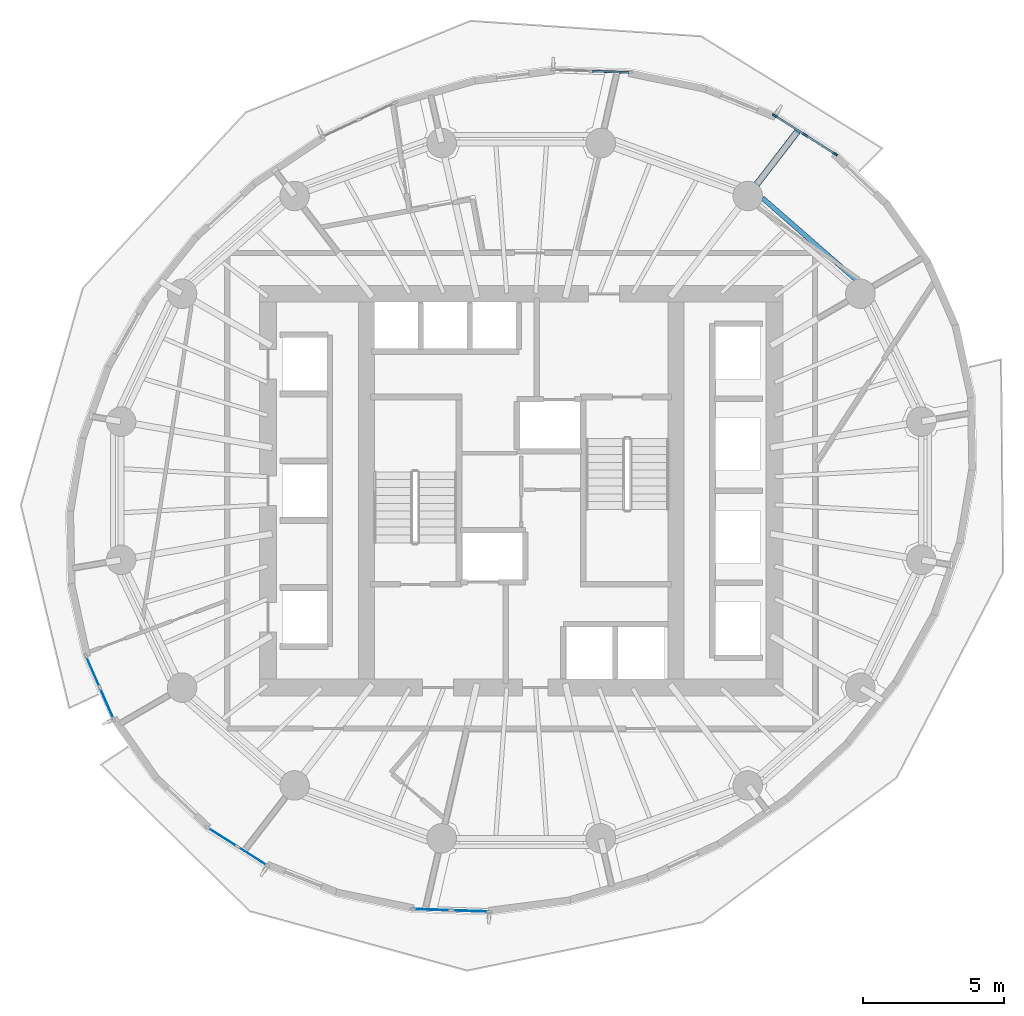
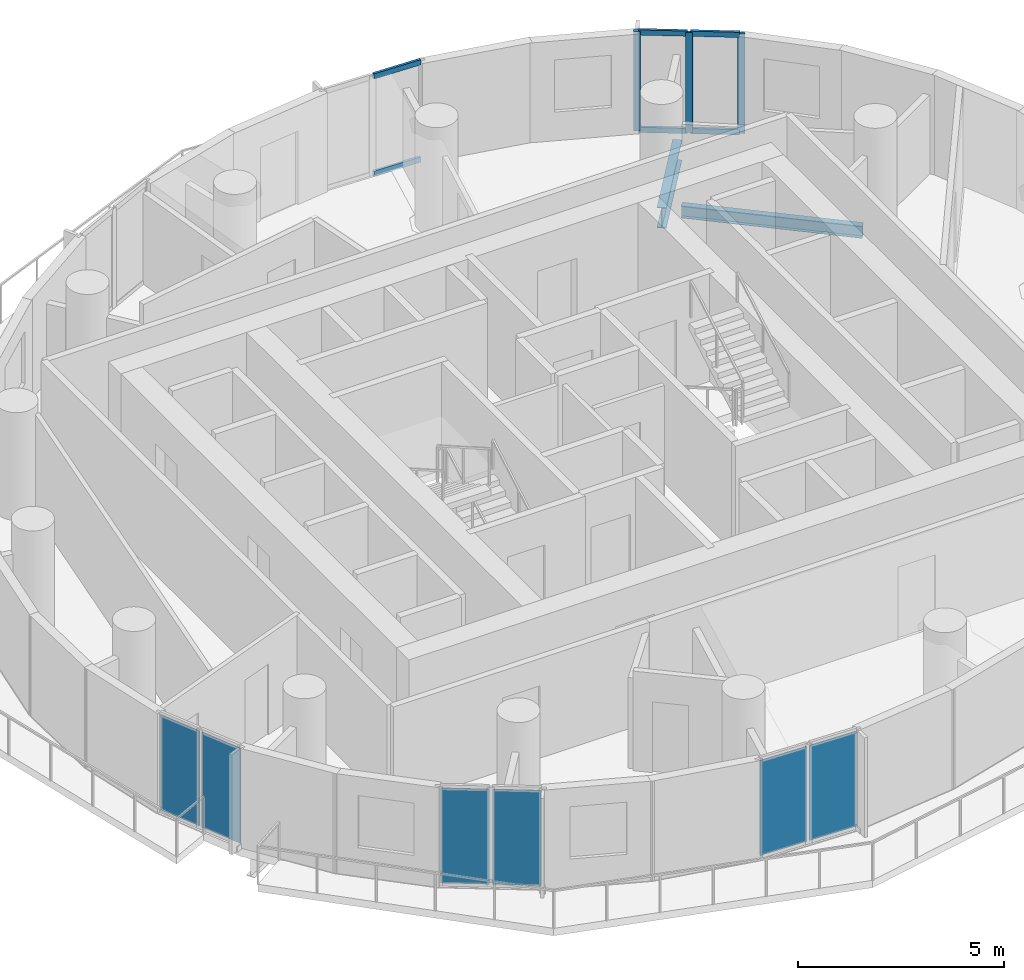
# One storey, part 4 of 13: 9 members, 6 plates, 2 beams, 5 elements without a shape of their own.
"""IFC4 building model written with IfcOpenShell, lengths in metres."""

from ifc_helpers import new_model, si_unit, direction, frame, origin, origin_2d, place, context, subcontext, project, spatial, rectangle, i_section, extrude, material, layer, layer_set, material_profile, profile_set, type_object, element, aggregate, save


model = new_model("IFC4")

# Units and contexts
model_context = context("Model", 3, precision=1e-05, world=origin(), true_north=direction((0.0, 1.0)))
body_context = subcontext(model_context, "Body", "Model", "MODEL_VIEW")
ifc_project = project(units=[si_unit("LENGTHUNIT", "METRE"), si_unit("AREAUNIT", "SQUARE_METRE"), si_unit("VOLUMEUNIT", "CUBIC_METRE"), si_unit("PLANEANGLEUNIT", "RADIAN"), si_unit("MASSUNIT", "GRAM", prefix="KILO")], contexts=[model_context])

# Site, building, storey
site_placement = place(None, origin())
site = spatial("IfcSite", under=ifc_project, at=site_placement, CompositionType="ELEMENT")
building_placement = place(site_placement, origin())
building = spatial("IfcBuilding", under=site, at=building_placement, Name="Veldorim Arch Residences", CompositionType="ELEMENT")
storey_placement = place(building_placement, frame((0.0, 0.0, 120.159912109375)))
storey = spatial("IfcBuildingStorey", under=building, at=storey_placement, Name="L35", CompositionType="ELEMENT", Elevation=120.159912109375)

# Beams
ifc_material_1 = material(Name="Steel S355", Category="steel")
ifc_material_profile_1 = material_profile(ifc_material_1, i_section(OverallWidth=0.22900390625, OverallDepth=0.6123046875, WebThickness=0.011962890625, FlangeThickness=0.01953125, at=origin_2d()), Name="UB610x229x125")
ifc_profile_set_1 = profile_set([ifc_material_profile_1], Name="Steel S355")
beam_type_1 = type_object("IfcBeamType", Name="Structural Steel Beam UB610x229x125", PredefinedType="BEAM", material=ifc_profile_set_1)
beam_1_placement = place(storey_placement, frame((40.068115234375, 34.492431640625, -0.5458984375), z_axis=(0.609564634962, 0.792736372197, 0.0), x_axis=(-0.792736372197, 0.609564634962, 0.0)))
element("IfcBeam", 1, at=beam_1_placement, inside=storey, type_object=beam_type_1, Name="L35 radial edge cantilever girder 03", PredefinedType="BEAM", context=body_context, shape_type="SweptSolid", body=[
    extrude(i_section(OverallWidth=0.22900390625, OverallDepth=0.6123046875, WebThickness=0.011962890625, FlangeThickness=0.01953125, at=origin_2d()), origin(), (0.0, 0.0, 1.0), 2.906982421875),
])
ifc_material_2 = material(Name="Steel S355", Category="steel")
ifc_material_profile_2 = material_profile(ifc_material_2, i_section(OverallWidth=0.172119140625, OverallDepth=0.35791015625, WebThickness=0.008056640625, FlangeThickness=0.012939453125, at=origin_2d()), Name="UB356x171x57")
ifc_profile_set_2 = profile_set([ifc_material_profile_2], Name="Steel S355")
beam_type_2 = type_object("IfcBeamType", Name="Structural Steel Spandrel UB356x171x57", PredefinedType="SPANDREL", material=ifc_profile_set_2)
beam_2_placement = place(storey_placement, frame((43.9580078125, 31.44921875, -0.43896484375), z_axis=(-0.753014748982, 0.658003638148, 0.0), x_axis=(-0.658003638148, -0.753014748982, 0.0)))
element("IfcBeam", 2, at=beam_2_placement, inside=storey, type_object=beam_type_2, Name="L35 perimeter chord spandrel beam 02", PredefinedType="SPANDREL", context=body_context, shape_type="SweptSolid", body=[
    extrude(i_section(OverallWidth=0.172119140625, OverallDepth=0.35791015625, WebThickness=0.008056640625, FlangeThickness=0.012939453125, at=origin_2d()), origin(), (0.0, 0.0, 1.0), 4.486572265625),
])

# Curtain wall, members
ifc_material_3 = material(Name="Aluminium", Category="aluminium")
curtain_wall_type = type_object("IfcCurtainWallType", Name="Zone 3 High-Wind Unitised Curtain Wall", PredefinedType="NOTDEFINED", material=ifc_material_3)
curtain_wall_1_placement = place(storey_placement, origin())
curtain_wall_1 = element("IfcCurtainWall", 3, at=curtain_wall_1_placement, inside=storey, type_object=curtain_wall_type, Name="L35 unitised curtain wall bay 03", PredefinedType="NOTDEFINED")
ifc_material_4 = material(Name="Aluminium", Category="aluminium")
ifc_material_profile_3 = material_profile(ifc_material_4, rectangle(XDim=0.070068359375, YDim=0.179931640625, at=origin_2d()), Name="ALU_MUL_70x180")
ifc_profile_set_3 = profile_set([ifc_material_profile_3], Name="Aluminium")
member_type_1 = type_object("IfcMemberType", Name="Zone 3 High-Wind Unitised Curtain Wall Mullion 70x180", PredefinedType="MULLION", material=ifc_profile_set_3)
member_1_placement = place(storey_placement, frame((41.017333984375, 37.330078125, 0.0), z_axis=(0.0, 0.0, 1.0), x_axis=(0.53575385941, 0.844374207403, 0.0)))
member_1 = element("IfcMember", 4, at=member_1_placement, type_object=member_type_1, Name="CW-Z3 mullion 1", PredefinedType="MULLION", context=body_context, shape_type="SweptSolid", body=[
    extrude(rectangle(XDim=0.070068359375, YDim=0.179931640625, at=origin_2d()), origin(), (0.0, 0.0, 1.0), 2.960205078125),
])
member_2_placement = place(storey_placement, frame((42.0869140625, 36.651611328125, 0.0), z_axis=(0.0, 0.0, 1.0), x_axis=(0.53575385941, 0.844374207403, 0.0)))
member_2 = element("IfcMember", 5, at=member_2_placement, type_object=member_type_1, Name="CW-Z3 mullion 2", PredefinedType="MULLION", context=body_context, shape_type="SweptSolid", body=[
    extrude(rectangle(XDim=0.070068359375, YDim=0.179931640625, at=origin_2d()), origin(), (0.0, 0.0, 1.0), 2.960205078125),
])
member_3_placement = place(storey_placement, frame((43.15625, 35.97314453125, 0.0), z_axis=(0.0, 0.0, 1.0), x_axis=(0.53575385941, 0.844374207403, 0.0)))
member_3 = element("IfcMember", 6, at=member_3_placement, type_object=member_type_1, Name="CW-Z3 mullion 3", PredefinedType="MULLION", context=body_context, shape_type="SweptSolid", body=[
    extrude(rectangle(XDim=0.070068359375, YDim=0.179931640625, at=origin_2d()), origin(), (0.0, 0.0, 1.0), 2.960205078125),
])
ifc_material_5 = material(Name="Aluminium", Category="aluminium")
ifc_material_profile_4 = material_profile(ifc_material_5, rectangle(XDim=0.070068359375, YDim=0.155029296875, at=origin_2d()), Name="ALU_TRN_70x155")
ifc_profile_set_4 = profile_set([ifc_material_profile_4], Name="Aluminium")
member_type_2 = type_object("IfcMemberType", Name="Zone 3 High-Wind Unitised Curtain Wall Transom 70x155", PredefinedType="USERDEFINED", material=ifc_profile_set_4)
member_4_placement = place(storey_placement, frame((41.047119140625, 37.311279296875, 0.03515625), z_axis=(0.844366708446, -0.535765677948, 0.0), x_axis=(0.535765677948, 0.844366708446, 0.0)))
member_4 = element("IfcMember", 7, at=member_4_placement, type_object=member_type_2, Name="CW-Z3 transom 1.1", ObjectType="TRANSOM", PredefinedType="USERDEFINED", context=body_context, shape_type="SweptSolid", body=[
    extrude(rectangle(XDim=0.070068359375, YDim=0.155029296875, at=origin_2d()), origin(), (0.0, 0.0, 1.0), 1.1962890625),
])
member_5_placement = place(storey_placement, frame((41.047119140625, 37.311279296875, 2.925048828125), z_axis=(0.844366708446, -0.535765677948, 0.0), x_axis=(0.535765677948, 0.844366708446, 0.0)))
member_5 = element("IfcMember", 8, at=member_5_placement, type_object=member_type_2, Name="CW-Z3 transom 1.2", ObjectType="TRANSOM", PredefinedType="USERDEFINED", context=body_context, shape_type="SweptSolid", body=[
    extrude(rectangle(XDim=0.070068359375, YDim=0.155029296875, at=origin_2d()), origin(), (0.0, 0.0, 1.0), 1.1962890625),
])
member_6_placement = place(storey_placement, frame((42.116455078125, 36.6328125, 0.03515625), z_axis=(0.844332970622, -0.535818845059, 0.0), x_axis=(0.535818845059, 0.844332970622, 0.0)))
member_6 = element("IfcMember", 9, at=member_6_placement, type_object=member_type_2, Name="CW-Z3 transom 2.1", ObjectType="TRANSOM", PredefinedType="USERDEFINED", context=body_context, shape_type="SweptSolid", body=[
    extrude(rectangle(XDim=0.070068359375, YDim=0.155029296875, at=origin_2d()), origin(), (0.0, 0.0, 1.0), 1.196533203125),
])
member_7_placement = place(storey_placement, frame((42.116455078125, 36.6328125, 2.925048828125), z_axis=(0.844332970622, -0.535818845059, 0.0), x_axis=(0.535818845059, 0.844332970622, 0.0)))
member_7 = element("IfcMember", 10, at=member_7_placement, type_object=member_type_2, Name="CW-Z3 transom 2.2", ObjectType="TRANSOM", PredefinedType="USERDEFINED", context=body_context, shape_type="SweptSolid", body=[
    extrude(rectangle(XDim=0.070068359375, YDim=0.155029296875, at=origin_2d()), origin(), (0.0, 0.0, 1.0), 1.196533203125),
])
aggregate(curtain_wall_1, [member_1, member_2, member_3, member_4, member_5, member_6, member_7])

curtain_wall_2_placement = place(storey_placement, origin())
curtain_wall_2 = element("IfcCurtainWall", 11, at=curtain_wall_2_placement, inside=storey, type_object=curtain_wall_type, Name="L35 unitised curtain wall bay 06", PredefinedType="NOTDEFINED")
member_8_placement = place(storey_placement, frame((34.52880859375, 38.916015625, 0.03515625), z_axis=(0.999433088901, -0.033667503752, 0.0), x_axis=(0.033667503752, 0.999433088901, 0.0)))
member_8 = element("IfcMember", 12, at=member_8_placement, type_object=member_type_2, Name="CW-Z3 transom 2.1", ObjectType="TRANSOM", PredefinedType="USERDEFINED", context=body_context, shape_type="SweptSolid", body=[
    extrude(rectangle(XDim=0.070068359375, YDim=0.155029296875, at=origin_2d()), origin(), (0.0, 0.0, 1.0), 1.290771484375),
])
member_9_placement = place(storey_placement, frame((34.52880859375, 38.916015625, 2.925048828125), z_axis=(0.999433088901, -0.033667503752, 0.0), x_axis=(0.033667503752, 0.999433088901, 0.0)))
member_9 = element("IfcMember", 13, at=member_9_placement, type_object=member_type_2, Name="CW-Z3 transom 2.2", ObjectType="TRANSOM", PredefinedType="USERDEFINED", context=body_context, shape_type="SweptSolid", body=[
    extrude(rectangle(XDim=0.070068359375, YDim=0.155029296875, at=origin_2d()), origin(), (0.0, 0.0, 1.0), 1.290771484375),
])
aggregate(curtain_wall_2, [member_8, member_9])

# Curtain wall, plates
curtain_wall_3_placement = place(storey_placement, origin())
curtain_wall_3 = element("IfcCurtainWall", 14, at=curtain_wall_3_placement, inside=storey, type_object=curtain_wall_type, Name="L35 unitised curtain wall bay 18", PredefinedType="NOTDEFINED")
ifc_material_6 = material(Name="Laminated Low-E Glass", Category="glass")
ifc_layer = layer(ifc_material_6, 0.028076171875, Name="Zone 3 High-Wind Unitised Curtain Wall Glazing Panel 28")
ifc_layer_set = layer_set([ifc_layer], Name="Laminated Low-E Glass")
plate_type = type_object("IfcPlateType", Name="Zone 3 High-Wind Unitised Curtain Wall Glazing Panel 28", PredefinedType="CURTAIN_PANEL", material=ifc_layer_set)
plate_1_placement = place(storey_placement, frame((17.27197265625, 16.434326171875, 0.06982421875), z_axis=(0.0, 0.0, 1.0), x_axis=(-0.401207981642, 0.915986984333, 0.0)))
plate_1 = element("IfcPlate", 15, at=plate_1_placement, type_object=plate_type, Name="CW-Z3 panel 1.1", PredefinedType="CURTAIN_PANEL", context=body_context, shape_type="SweptSolid", body=[
    extrude(rectangle(XDim=1.162109375, YDim=0.028076171875, at=origin_2d()), origin(), (0.0, 0.0, 1.0), 2.820068359375),
])
plate_2_placement = place(storey_placement, frame((16.777587890625, 17.56298828125, 0.06982421875), z_axis=(0.0, 0.0, 1.0), x_axis=(-0.401207981642, 0.915986984333, 0.0)))
plate_2 = element("IfcPlate", 16, at=plate_2_placement, type_object=plate_type, Name="CW-Z3 panel 2.1", PredefinedType="CURTAIN_PANEL", context=body_context, shape_type="SweptSolid", body=[
    extrude(rectangle(XDim=1.162109375, YDim=0.028076171875, at=origin_2d()), origin(), (0.0, 0.0, 1.0), 2.820068359375),
])
aggregate(curtain_wall_3, [plate_1, plate_2])

curtain_wall_4_placement = place(storey_placement, origin())
curtain_wall_4 = element("IfcCurtainWall", 17, at=curtain_wall_4_placement, inside=storey, type_object=curtain_wall_type, Name="L35 unitised curtain wall bay 21", PredefinedType="NOTDEFINED")
plate_3_placement = place(storey_placement, frame((22.44775390625, 11.00927734375, 0.06982421875), z_axis=(0.0, 0.0, 1.0), x_axis=(-0.844374207403, 0.53575385941, 0.0)))
plate_3 = element("IfcPlate", 18, at=plate_3_placement, type_object=plate_type, Name="CW-Z3 panel 1.1", PredefinedType="CURTAIN_PANEL", context=body_context, shape_type="SweptSolid", body=[
    extrude(rectangle(XDim=1.196533203125, YDim=0.028076171875, at=origin_2d()), origin(), (0.0, 0.0, 1.0), 2.820068359375),
])
plate_4_placement = place(storey_placement, frame((21.37841796875, 11.687744140625, 0.06982421875), z_axis=(0.0, 0.0, 1.0), x_axis=(-0.844374207403, 0.53575385941, 0.0)))
plate_4 = element("IfcPlate", 19, at=plate_4_placement, type_object=plate_type, Name="CW-Z3 panel 2.1", PredefinedType="CURTAIN_PANEL", context=body_context, shape_type="SweptSolid", body=[
    extrude(rectangle(XDim=1.196533203125, YDim=0.028076171875, at=origin_2d()), origin(), (0.0, 0.0, 1.0), 2.820068359375),
])
aggregate(curtain_wall_4, [plate_3, plate_4])

curtain_wall_5_placement = place(storey_placement, origin())
curtain_wall_5 = element("IfcCurtainWall", 20, at=curtain_wall_5_placement, inside=storey, type_object=curtain_wall_type, Name="L35 unitised curtain wall bay 24", PredefinedType="NOTDEFINED")
plate_5_placement = place(storey_placement, frame((30.186279296875, 9.059814453125, 0.06982421875), z_axis=(0.0, 0.0, 1.0), x_axis=(-0.99943054268, 0.03374300459, 0.0)))
plate_5 = element("IfcPlate", 21, at=plate_5_placement, type_object=plate_type, Name="CW-Z3 panel 1.1", PredefinedType="CURTAIN_PANEL", context=body_context, shape_type="SweptSolid", body=[
    extrude(rectangle(XDim=1.290771484375, YDim=0.028076171875, at=origin_2d()), origin(), (0.0, 0.0, 1.0), 2.820068359375),
])
plate_6_placement = place(storey_placement, frame((28.826171875, 9.105712890625, 0.06982421875), z_axis=(0.0, 0.0, 1.0), x_axis=(-0.99943054268, 0.03374300459, 0.0)))
plate_6 = element("IfcPlate", 22, at=plate_6_placement, type_object=plate_type, Name="CW-Z3 panel 2.1", PredefinedType="CURTAIN_PANEL", context=body_context, shape_type="SweptSolid", body=[
    extrude(rectangle(XDim=1.290771484375, YDim=0.028076171875, at=origin_2d()), origin(), (0.0, 0.0, 1.0), 2.820068359375),
])
aggregate(curtain_wall_5, [plate_5, plate_6])

save(model, "model.ifc")
